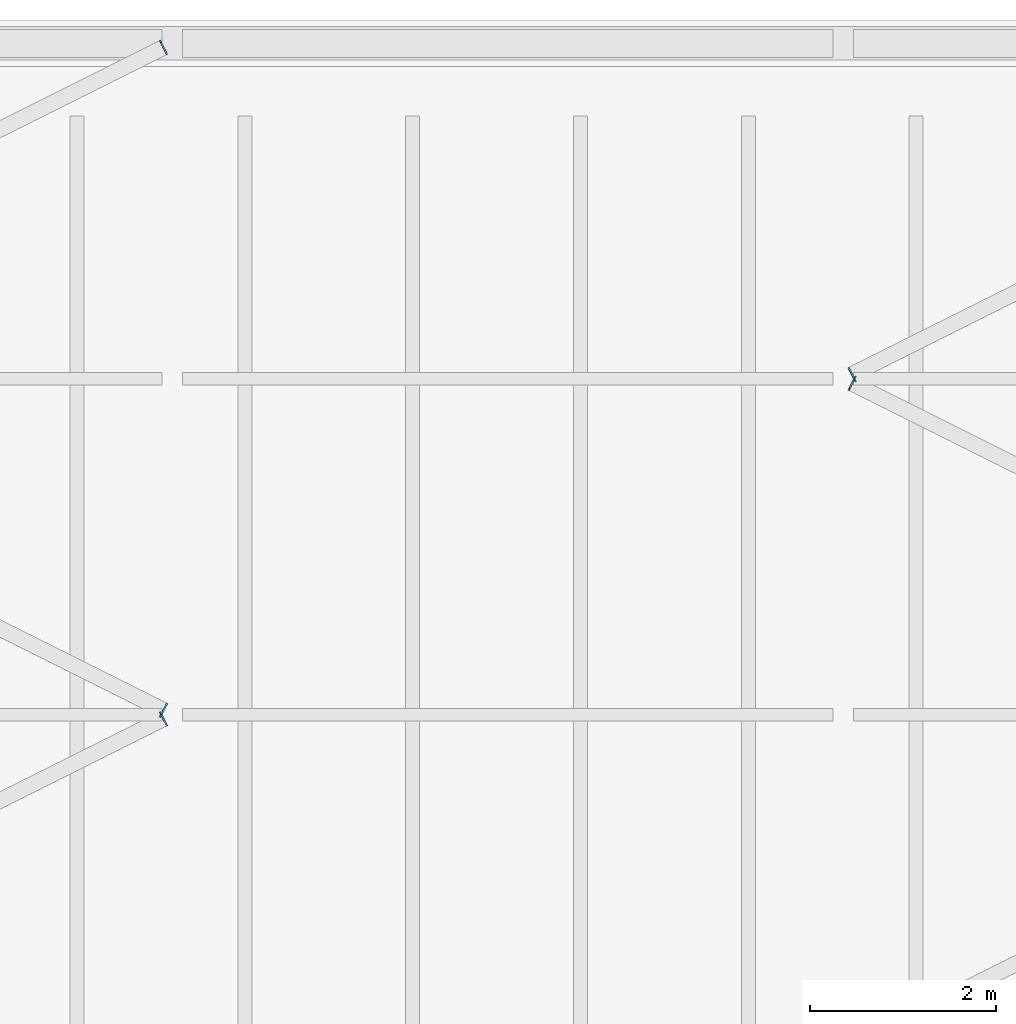
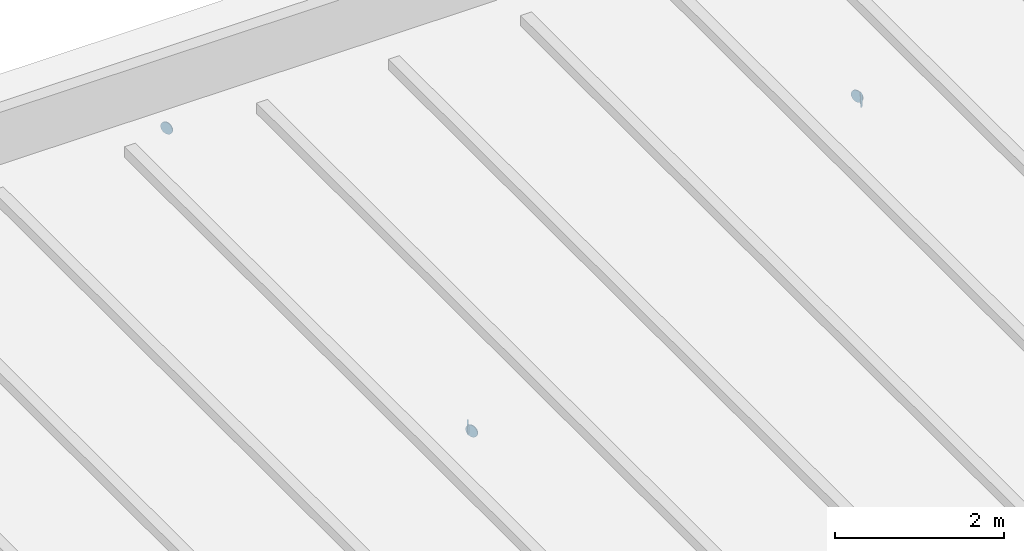
# One storey, part 76 of 110: 5 discrete accessories.
"""IFC4 building model written with IfcOpenShell, lengths in metres."""

from ifc_helpers import new_model, si_unit, direction, frame, origin, origin_2d, place, context, subcontext, project, spatial, circle, extrude, material, layer, layer_set, type_object, element, save


model = new_model("IFC4")

# Units and contexts
model_context = context("Model", 3, precision=1e-05, world=origin(), true_north=direction((0.0, 1.0)))
body_context = subcontext(model_context, "Body", "Model", "MODEL_VIEW")
ifc_project = project(units=[si_unit("LENGTHUNIT", "METRE"), si_unit("AREAUNIT", "SQUARE_METRE"), si_unit("VOLUMEUNIT", "CUBIC_METRE"), si_unit("PLANEANGLEUNIT", "RADIAN"), si_unit("MASSUNIT", "GRAM", prefix="KILO")], contexts=[model_context])

# Site, building, storey
site_placement = place(None, origin())
site = spatial("IfcSite", under=ifc_project, at=site_placement, CompositionType="ELEMENT")
building_placement = place(site_placement, origin())
building = spatial("IfcBuilding", under=site, at=building_placement, Name="Kupolbacken Congress Centre", CompositionType="ELEMENT")
storey_placement = place(building_placement, frame((0.0, 0.0, 18.0)))
storey = spatial("IfcBuildingStorey", under=building, at=storey_placement, Name="L05", CompositionType="ELEMENT", Elevation=18.0)

# Discrete accessories
ifc_material = material(Name="Steel S355", Category="steel")
ifc_layer = layer(ifc_material, 0.011962890625)
ifc_layer_set = layer_set([ifc_layer], Name="Steel S355")
discrete_accessory_type = type_object("IfcDiscreteAccessoryType", Name="EC2 tube end cap plate 168 dia x 12", PredefinedType="BRACKET", material=ifc_layer_set)
for number, where, z_axis, x_axis, name in (
    (1, (172.70166015625, 143.95068359375, -0.084228515625), (0.886225443962, 0.463254209344, 0.0), (-0.463254209344, 0.886225443962, 0.0), "End cap plate BR/RB/03-05 B"),
    (2, (172.70166015625, 144.04931640625, -0.084228515625), (0.886225443962, -0.463254209344, 0.0), (0.463254209344, 0.886225443962, 0.0), "End cap plate BR/RB/03-06 A"),
):
    element("IfcDiscreteAccessory", number, at=place(storey_placement, frame(where, z_axis=z_axis, x_axis=x_axis)), inside=storey, type_object=discrete_accessory_type, Name=name, PredefinedType="BRACKET", context=body_context, shape_type="SweptSolid", body=[
        extrude(circle(Radius=0.084228515625, at=origin_2d()), origin(), (0.0, 0.0, 1.0), 0.01220703125),
    ])
for number, where, z_axis, x_axis, name in (
    (3, (172.70166015625, 151.15087890625, -0.084228515625), (0.894427191, 0.4472135955, 0.0), (-0.4472135955, 0.894427191, 0.0), "End cap plate BR/RB/03-07 B"),
    (4, (180.098388671875, 147.55078125, -0.084228515625), (-0.894427191, 0.4472135955, 0.0), (-0.4472135955, -0.894427191, 0.0), "End cap plate BR/RB/05-06 B"),
    (5, (180.098388671875, 147.649169921875, -0.084228515625), (-0.894427191, -0.4472135955, 0.0), (0.4472135955, -0.894427191, 0.0), "End cap plate BR/RB/05-07 A"),
):
    element("IfcDiscreteAccessory", number, at=place(storey_placement, frame(where, z_axis=z_axis, x_axis=x_axis)), inside=storey, type_object=discrete_accessory_type, Name=name, PredefinedType="BRACKET", context=body_context, shape_type="SweptSolid", body=[
        extrude(circle(Radius=0.084228515625, at=origin_2d()), origin(), (0.0, 0.0, 1.0), 0.011962890625),
    ])

save(model, "model.ifc")
